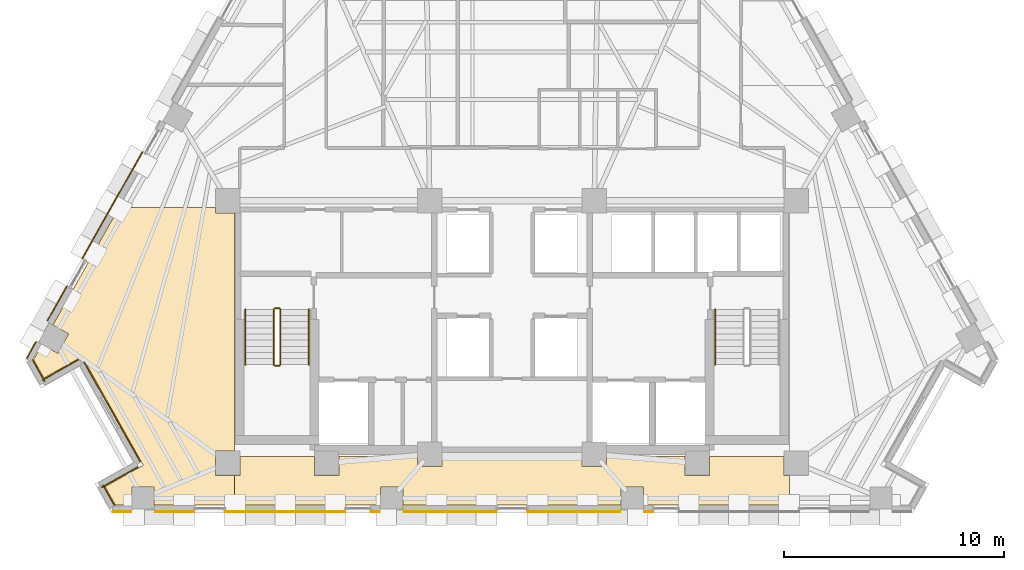
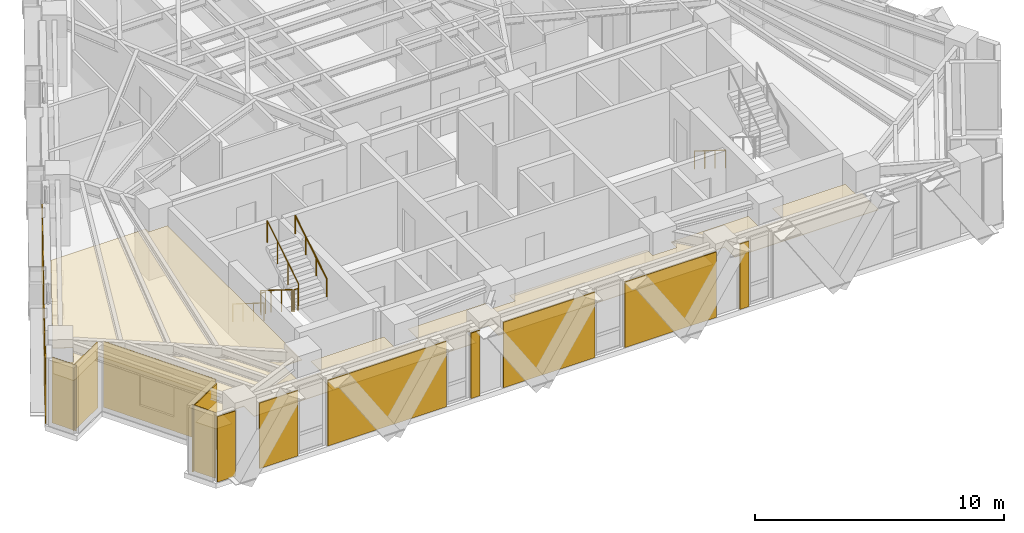
# One storey, part 10 of 13: 17 coverings, 7 railings.
"""IFC4 building model written with IfcOpenShell, lengths in metres."""

from ifc_helpers import new_model, si_unit, direction, frame, origin, origin_2d, place, context, subcontext, project, spatial, polyline, circle, outline, extrude, material, layer, layer_set, type_object, element, save


model = new_model("IFC4")

# Units and contexts
model_context = context("Model", 3, precision=1e-05, world=origin(), true_north=direction((0.0, 1.0)))
body_context = subcontext(model_context, "Body", "Model", "MODEL_VIEW")
ifc_project = project(units=[si_unit("LENGTHUNIT", "METRE"), si_unit("AREAUNIT", "SQUARE_METRE"), si_unit("VOLUMEUNIT", "CUBIC_METRE"), si_unit("PLANEANGLEUNIT", "RADIAN"), si_unit("MASSUNIT", "GRAM", prefix="KILO")], contexts=[model_context])

# Site, building, storey
site_placement = place(None, origin())
site = spatial("IfcSite", under=ifc_project, at=site_placement, CompositionType="ELEMENT")
building_placement = place(site_placement, origin())
building = spatial("IfcBuilding", under=site, at=building_placement, Name="Quenlor Broadcast Tower", CompositionType="ELEMENT")
storey_placement = place(building_placement, frame((0.0, 0.0, 172.0)))
storey = spatial("IfcBuildingStorey", under=building, at=storey_placement, Name="L47", CompositionType="ELEMENT", Elevation=172.0)

# Coverings
ifc_material_1 = material(Name="Acoustic Mineral Fibre Board", Category="other")
ifc_layer_1 = layer(ifc_material_1, 0.02490234375)
ifc_layer_set_1 = layer_set([ifc_layer_1], Name="Acoustic Perforated Mineral Tile Ceiling 25")
covering_type_1 = type_object("IfcCoveringType", Name="Acoustic Perforated Mineral Tile Ceiling 25", PredefinedType="CEILING", material=ifc_layer_set_1)
covering_1_placement = place(storey_placement, frame((0.0, 0.0, 2.375)))
element("IfcCovering", 1, at=covering_1_placement, inside=storey, type_object=covering_type_1, Name="L47 Acoustic Ceiling L47-35-3", PredefinedType="CEILING", context=body_context, shape_type="SweptSolid", body=[
    extrude(outline(polyline([(-21.794921875, -12.0400390625), (-21.406982421875, -11.350341796875), (-20.694091796875, -11.751220703125), (-20.19580078125, -10.86572265625), (-20.90869140625, -10.46484375), (-17.90234375, -5.1201171875), (-13.508056640625, -5.1201171875), (-13.508056640625, -5.35791015625), (-12.64990234375, -5.35791015625), (-12.64990234375, -16.19189453125), (-13.508056640625, -16.19189453125), (-13.508056640625, -17.30810546875), (-12.64990234375, -17.30810546875), (-12.64990234375, -18.659912109375), (-16.30029296875, -18.659912109375), (-16.30029296875, -17.842041015625), (-17.31640625, -17.842041015625), (-17.31640625, -18.659912109375), (-18.071044921875, -18.659912109375), (-18.538818359375, -17.82861328125), (-16.795654296875, -16.847900390625), (-19.580322265625, -11.8974609375), (-21.323486328125, -12.878173828125), (-21.794921875, -12.0400390625)])), origin(), (0.0, 0.0, 1.0), 0.02490234375),
])
covering_2_placement = place(storey_placement, frame((0.0, 0.0, 2.375)))
element("IfcCovering", 2, at=covering_2_placement, inside=storey, type_object=covering_type_1, Name="L47 Acoustic Ceiling L47-35-5", PredefinedType="CEILING", context=body_context, shape_type="SweptSolid", body=[
    extrude(outline(polyline([(-12.39208984375, -17.30810546875), (-12.39208984375, -16.449951171875), (-9.008056640625, -16.449951171875), (-9.008056640625, -17.30810546875), (-7.89208984375, -17.30810546875), (-7.89208984375, -16.449951171875), (-4.30810546875, -16.449951171875), (-4.30810546875, -16.907958984375), (-3.19189453125, -16.907958984375), (-3.19189453125, -16.449951171875), (3.19189453125, -16.449951171875), (3.19189453125, -16.907958984375), (4.30810546875, -16.907958984375), (4.30810546875, -16.449951171875), (7.89208984375, -16.449951171875), (7.89208984375, -17.30810546875), (9.008056640625, -17.30810546875), (9.008056640625, -16.449951171875), (12.39208984375, -16.449951171875), (12.39208984375, -17.30810546875), (12.64990234375, -17.30810546875), (12.64990234375, -18.659912109375), (5.989013671875, -18.659912109375), (5.989013671875, -17.842041015625), (4.972900390625, -17.842041015625), (4.972900390625, -18.659912109375), (-4.972900390625, -18.659912109375), (-4.972900390625, -17.842041015625), (-5.989013671875, -17.842041015625), (-5.989013671875, -18.659912109375), (-12.64990234375, -18.659912109375), (-12.64990234375, -17.30810546875), (-12.39208984375, -17.30810546875)])), origin(), (0.0, 0.0, 1.0), 0.02490234375),
])
ifc_material_2 = material(Name="Architectural Terracotta Ceramic", Category="masonry")
ifc_layer_2 = layer(ifc_material_2, 0.044921875)
ifc_layer_set_2 = layer_set([ifc_layer_2], Name="Fluted Terracotta Rainscreen Cladding Panel")
covering_type_2 = type_object("IfcCoveringType", Name="Fluted Terracotta Rainscreen Cladding Panel", PredefinedType="CLADDING", material=ifc_layer_set_2)
covering_3_placement = place(storey_placement, frame((0.0, 0.0, 0.02001953125)))
element("IfcCovering", 3, at=covering_3_placement, inside=storey, type_object=covering_type_2, Name="L47 Terracotta Rainscreen Cladding L47-SHD-SS1", PredefinedType="CLADDING", context=body_context, shape_type="SweptSolid", body=[
    extrude(outline(polyline([(-17.343505859375, -18.93701171875), (-18.179931640625, -18.93701171875), (-18.179931640625, -18.98193359375), (-17.343505859375, -18.98193359375), (-17.343505859375, -18.93701171875)])), origin(), (0.0, 0.0, 1.0), 3.2099609375),
])
covering_4_placement = place(storey_placement, frame((0.0, 0.0, 0.02001953125)))
element("IfcCovering", 4, at=covering_4_placement, inside=storey, type_object=covering_type_2, Name="L47 Terracotta Rainscreen Cladding L47-SA-SP3", PredefinedType="CLADDING", context=body_context, shape_type="SweptSolid", body=[
    extrude(outline(polyline([(6.43603515625, -18.95703125), (6.035888671875, -18.95703125), (6.035888671875, -19.001953125), (6.43603515625, -19.001953125), (6.43603515625, -18.95703125)])), origin(), (0.0, 0.0, 1.0), 3.2099609375),
])
covering_5_placement = place(storey_placement, frame((0.0, 0.0, 0.02001953125)))
element("IfcCovering", 5, at=covering_5_placement, inside=storey, type_object=covering_type_2, Name="L47 Terracotta Rainscreen Cladding L47-SC-SP1", PredefinedType="CLADDING", context=body_context, shape_type="SweptSolid", body=[
    extrude(outline(polyline([(-6.035888671875, -18.95703125), (-6.43603515625, -18.95703125), (-6.43603515625, -19.001953125), (-6.035888671875, -19.001953125), (-6.035888671875, -18.95703125)])), origin(), (0.0, 0.0, 1.0), 3.2099609375),
])
covering_6_placement = place(storey_placement, frame((0.0, 0.0, 0.02001953125)))
element("IfcCovering", 6, at=covering_6_placement, inside=storey, type_object=covering_type_2, Name="L47 Terracotta Rainscreen Cladding L47-SC-SP2", PredefinedType="CLADDING", context=body_context, shape_type="SweptSolid", body=[
    extrude(outline(polyline([(-7.5869140625, -18.95703125), (-13.076904296875, -18.95703125), (-13.076904296875, -19.001953125), (-7.5869140625, -19.001953125), (-7.5869140625, -18.95703125)])), origin(), (0.0, 0.0, 1.0), 3.2099609375),
])
covering_7_placement = place(storey_placement, frame((0.0, 0.0, 0.02001953125)))
element("IfcCovering", 7, at=covering_7_placement, inside=storey, type_object=covering_type_2, Name="L47 Terracotta Rainscreen Cladding L47-SC-SP3", PredefinedType="CLADDING", context=body_context, shape_type="SweptSolid", body=[
    extrude(outline(polyline([(-14.47509765625, -18.95703125), (-16.25341796875, -18.95703125), (-16.25341796875, -19.001953125), (-14.47509765625, -19.001953125), (-14.47509765625, -18.95703125)])), origin(), (0.0, 0.0, 1.0), 3.2099609375),
])
covering_8_placement = place(storey_placement, frame((0.0, 0.0, 0.02001953125)))
element("IfcCovering", 8, at=covering_8_placement, inside=storey, type_object=covering_type_2, Name="L47 Terracotta Rainscreen Cladding L47-S-SP1", PredefinedType="CLADDING", context=body_context, shape_type="SweptSolid", body=[
    extrude(outline(polyline([(4.930908203125, -18.95703125), (0.698974609375, -18.95703125), (0.698974609375, -19.001953125), (4.930908203125, -19.001953125), (4.930908203125, -18.95703125)])), origin(), (0.0, 0.0, 1.0), 3.2099609375),
])
covering_9_placement = place(storey_placement, frame((0.0, 0.0, 0.02001953125)))
element("IfcCovering", 9, at=covering_9_placement, inside=storey, type_object=covering_type_2, Name="L47 Terracotta Rainscreen Cladding L47-S-SP2", PredefinedType="CLADDING", context=body_context, shape_type="SweptSolid", body=[
    extrude(outline(polyline([(-0.698974609375, -18.95703125), (-4.930908203125, -18.95703125), (-4.930908203125, -19.001953125), (-0.698974609375, -19.001953125), (-0.698974609375, -18.95703125)])), origin(), (0.0, 0.0, 1.0), 3.2099609375),
])
covering_10_placement = place(storey_placement, frame((0.0, 0.0, 0.02001953125)))
element("IfcCovering", 10, at=covering_10_placement, inside=storey, type_object=covering_type_2, Name="L47 Terracotta Rainscreen Cladding L47-SHD-NWS0", PredefinedType="CLADDING", context=body_context, shape_type="SweptSolid", body=[
    extrude(outline(polyline([(-22.0859375, -11.992431640625), (-21.66162109375, -11.23779296875), (-21.70068359375, -11.2158203125), (-22.125244140625, -11.970458984375), (-22.0859375, -11.992431640625)])), origin(), (0.0, 0.0, 1.0), 3.2099609375),
])
covering_11_placement = place(storey_placement, frame((0.0, 0.0, 0.02001953125)))
element("IfcCovering", 11, at=covering_11_placement, inside=storey, type_object=covering_type_2, Name="L47 Terracotta Rainscreen Cladding L47-NWA-SP1", PredefinedType="CLADDING", context=body_context, shape_type="SweptSolid", body=[
    extrude(outline(polyline([(-21.14453125, -10.278076171875), (-20.26416015625, -8.712646484375), (-20.30322265625, -8.690673828125), (-21.183837890625, -10.256103515625), (-21.14453125, -10.278076171875)])), origin(), (0.0, 0.0, 1.0), 3.2099609375),
])
covering_12_placement = place(storey_placement, frame((0.0, 0.0, 0.02001953125)))
element("IfcCovering", 12, at=covering_12_placement, inside=storey, type_object=covering_type_2, Name="L47 Terracotta Rainscreen Cladding L47-NWA-SP2", PredefinedType="CLADDING", context=body_context, shape_type="SweptSolid", body=[
    extrude(outline(polyline([(-19.55322265625, -7.44921875), (-16.81591796875, -2.582763671875), (-16.855224609375, -2.560791015625), (-19.592529296875, -7.42724609375), (-19.55322265625, -7.44921875)])), origin(), (0.0, 0.0, 1.0), 3.2099609375),
])
covering_13_placement = place(storey_placement, frame((0.0, 0.0, 0.02001953125)))
element("IfcCovering", 13, at=covering_13_placement, inside=storey, type_object=covering_type_2, Name="L47 Terracotta Rainscreen Cladding L47-CNR-12", PredefinedType="CLADDING", context=body_context, shape_type="SweptSolid", body=[
    extrude(outline(polyline([(-21.864501953125, -12.0546875), (-21.309326171875, -13.0419921875), (-21.27001953125, -13.02001953125), (-21.825439453125, -12.03271484375), (-21.864501953125, -12.0546875)])), origin(), (0.0, 0.0, 1.0), 3.2099609375),
])
covering_14_placement = place(storey_placement, frame((0.0, 0.0, 0.02001953125)))
element("IfcCovering", 14, at=covering_14_placement, inside=storey, type_object=covering_type_2, Name="L47 Terracotta Rainscreen Cladding L47-CNR-13", PredefinedType="CLADDING", context=body_context, shape_type="SweptSolid", body=[
    extrude(outline(polyline([(-21.385986328125, -12.9912109375), (-19.72998046875, -12.059814453125), (-19.752197265625, -12.0205078125), (-21.408203125, -12.9521484375), (-21.385986328125, -12.9912109375)])), origin(), (0.0, 0.0, 1.0), 3.2099609375),
])
covering_15_placement = place(storey_placement, frame((0.0, 0.0, 0.02001953125)))
element("IfcCovering", 15, at=covering_15_placement, inside=storey, type_object=covering_type_2, Name="L47 Terracotta Rainscreen Cladding L47-CNR-14", PredefinedType="CLADDING", context=body_context, shape_type="SweptSolid", body=[
    extrude(outline(polyline([(-19.51708984375, -12.148681640625), (-16.9580078125, -16.6982421875), (-16.918701171875, -16.67626953125), (-19.477783203125, -12.126708984375), (-19.51708984375, -12.148681640625)])), origin(), (0.0, 0.0, 1.0), 3.2099609375),
])
covering_16_placement = place(storey_placement, frame((0.0, 0.0, 0.02001953125)))
element("IfcCovering", 16, at=covering_16_placement, inside=storey, type_object=covering_type_2, Name="L47 Terracotta Rainscreen Cladding L47-CNR-15", PredefinedType="CLADDING", context=body_context, shape_type="SweptSolid", body=[
    extrude(outline(polyline([(-17.046875, -16.911376953125), (-18.702880859375, -17.8427734375), (-18.680908203125, -17.882080078125), (-17.02490234375, -16.950439453125), (-17.046875, -16.911376953125)])), origin(), (0.0, 0.0, 1.0), 3.2099609375),
])
covering_17_placement = place(storey_placement, frame((0.0, 0.0, 0.02001953125)))
element("IfcCovering", 17, at=covering_17_placement, inside=storey, type_object=covering_type_2, Name="L47 Terracotta Rainscreen Cladding L47-CNR-16", PredefinedType="CLADDING", context=body_context, shape_type="SweptSolid", body=[
    extrude(outline(polyline([(-18.652099609375, -17.76611328125), (-18.127685546875, -18.697998046875), (-18.088623046875, -18.67578125), (-18.61279296875, -17.743896484375), (-18.652099609375, -17.76611328125)])), origin(), (0.0, 0.0, 1.0), 3.2099609375),
])

# Railings
ifc_material_3 = material(Name="Anodised Aluminium", Category="aluminium")
railing_type_1 = type_object("IfcRailingType", Name="Stainless Aluminium Wall Handrail 900", PredefinedType="HANDRAIL", material=ifc_material_3)
railing_1_placement = place(storey_placement, frame((-12.14990234375, -9.75, 0.175048828125)))
element("IfcRailing", 18, at=railing_1_placement, inside=storey, type_object=railing_type_1, Name="L47 ST-1 stair handrail 1", PredefinedType="HANDRAIL", context=body_context, shape_type="SweptSolid", body=[
    extrude(circle(Radius=0.02392578125, at=origin_2d()), frame((0.0, 0.0, 0.8759765625), z_axis=(0.0, -0.848007534815, 0.529984170421), x_axis=(1.0, 0.0, 0.0)), (0.0, 0.0, 1.0), 2.9716796875),
    extrude(circle(Radius=0.02099609375, at=origin_2d()), origin(), (0.0, 0.0, 1.0), 0.851806640625),
    extrude(circle(Radius=0.02099609375, at=origin_2d()), frame((0.0, -0.840087890625, 0.52490234375)), (0.0, 0.0, 1.0), 0.851806640625),
    extrude(circle(Radius=0.02099609375, at=origin_2d()), frame((0.0, -1.679931640625, 1.050048828125)), (0.0, 0.0, 1.0), 0.851806640625),
    extrude(circle(Radius=0.02099609375, at=origin_2d()), frame((0.0, -2.52001953125, 1.574951171875)), (0.0, 0.0, 1.0), 0.851806640625),
])
railing_2_placement = place(storey_placement, frame((-9.25, -12.27001953125, 1.925048828125)))
element("IfcRailing", 19, at=railing_2_placement, inside=storey, type_object=railing_type_1, Name="L47 ST-1 stair handrail 2", PredefinedType="HANDRAIL", context=body_context, shape_type="SweptSolid", body=[
    extrude(circle(Radius=0.02392578125, at=origin_2d()), frame((0.0, 0.0, 0.8759765625), z_axis=(0.0, 0.848007534815, 0.529984170421), x_axis=(-1.0, 0.0, 0.0)), (0.0, 0.0, 1.0), 2.9716796875),
    extrude(circle(Radius=0.02099609375, at=origin_2d()), origin(), (0.0, 0.0, 1.0), 0.851806640625),
    extrude(circle(Radius=0.02099609375, at=origin_2d()), frame((0.0, 0.840087890625, 0.52490234375)), (0.0, 0.0, 1.0), 0.851806640625),
    extrude(circle(Radius=0.02099609375, at=origin_2d()), frame((0.0, 1.679931640625, 1.050048828125)), (0.0, 0.0, 1.0), 0.851806640625),
    extrude(circle(Radius=0.02099609375, at=origin_2d()), frame((0.0, 2.52001953125, 1.574951171875)), (0.0, 0.0, 1.0), 0.851806640625),
])
railing_3_placement = place(storey_placement, frame((9.25, -9.75, 0.175048828125)))
element("IfcRailing", 20, at=railing_3_placement, inside=storey, type_object=railing_type_1, Name="L47 ST-2 stair handrail 1", PredefinedType="HANDRAIL", context=body_context, shape_type="SweptSolid", body=[
    extrude(circle(Radius=0.02392578125, at=origin_2d()), frame((0.0, 0.0, 0.8759765625), z_axis=(0.0, -0.848007534815, 0.529984170421), x_axis=(1.0, 0.0, 0.0)), (0.0, 0.0, 1.0), 2.9716796875),
    extrude(circle(Radius=0.02099609375, at=origin_2d()), origin(), (0.0, 0.0, 1.0), 0.851806640625),
    extrude(circle(Radius=0.02099609375, at=origin_2d()), frame((0.0, -0.840087890625, 0.52490234375)), (0.0, 0.0, 1.0), 0.851806640625),
    extrude(circle(Radius=0.02099609375, at=origin_2d()), frame((0.0, -1.679931640625, 1.050048828125)), (0.0, 0.0, 1.0), 0.851806640625),
    extrude(circle(Radius=0.02099609375, at=origin_2d()), frame((0.0, -2.52001953125, 1.574951171875)), (0.0, 0.0, 1.0), 0.851806640625),
])
ifc_material_4 = material(Name="Steel S355", Category="steel")
railing_type_2 = type_object("IfcRailingType", Name="Tubular Steel S355 Stair Guardrail 1100", PredefinedType="BALUSTRADE", material=ifc_material_4)
railing_4_placement = place(storey_placement, frame((-10.85009765625, -9.75, 0.175048828125)))
element("IfcRailing", 21, at=railing_4_placement, inside=storey, type_object=railing_type_2, Name="L47 ST-1 stair guard 1", PredefinedType="BALUSTRADE", context=body_context, shape_type="SweptSolid", body=[
    extrude(circle(Radius=0.02392578125, at=origin_2d()), frame((0.0, 0.0, 1.076171875), z_axis=(0.0, -0.848007534815, 0.529984170421), x_axis=(1.0, 0.0, 0.0)), (0.0, 0.0, 1.0), 2.9716796875),
    extrude(circle(Radius=0.02099609375, at=origin_2d()), origin(), (0.0, 0.0, 1.0), 1.052001953125),
    extrude(circle(Radius=0.02099609375, at=origin_2d()), frame((0.0, -0.840087890625, 0.52490234375)), (0.0, 0.0, 1.0), 1.052001953125),
    extrude(circle(Radius=0.02099609375, at=origin_2d()), frame((0.0, -1.679931640625, 1.050048828125)), (0.0, 0.0, 1.0), 1.052001953125),
    extrude(circle(Radius=0.02099609375, at=origin_2d()), frame((0.0, -2.52001953125, 1.574951171875)), (0.0, 0.0, 1.0), 1.052001953125),
])
railing_5_placement = place(storey_placement, frame((-10.800048828125, -12.320068359375, 1.75)))
element("IfcRailing", 22, at=railing_5_placement, inside=storey, type_object=railing_type_2, Name="L47 ST-1 stair guard 2", PredefinedType="BALUSTRADE", context=body_context, shape_type="SweptSolid", body=[
    extrude(circle(Radius=0.02392578125, at=origin_2d()), frame((0.0, 0.0, 1.076171875), z_axis=(1.0, 0.0, 0.0), x_axis=(0.0, 1.0, 0.0)), (0.0, 0.0, 1.0), 0.199951171875),
    extrude(circle(Radius=0.02099609375, at=origin_2d()), origin(), (0.0, 0.0, 1.0), 1.052001953125),
    extrude(circle(Radius=0.02099609375, at=origin_2d()), frame((0.199951171875, 0.0, 0.0)), (0.0, 0.0, 1.0), 1.052001953125),
])
railing_6_placement = place(storey_placement, frame((-10.550048828125, -12.27001953125, 1.925048828125)))
element("IfcRailing", 23, at=railing_6_placement, inside=storey, type_object=railing_type_2, Name="L47 ST-1 stair guard 3", PredefinedType="BALUSTRADE", context=body_context, shape_type="SweptSolid", body=[
    extrude(circle(Radius=0.02392578125, at=origin_2d()), frame((0.0, 0.0, 1.076171875), z_axis=(0.0, 0.848007534815, 0.529984170421), x_axis=(-1.0, 0.0, 0.0)), (0.0, 0.0, 1.0), 2.9716796875),
    extrude(circle(Radius=0.02099609375, at=origin_2d()), origin(), (0.0, 0.0, 1.0), 1.052001953125),
    extrude(circle(Radius=0.02099609375, at=origin_2d()), frame((0.0, 0.840087890625, 0.52490234375)), (0.0, 0.0, 1.0), 1.052001953125),
    extrude(circle(Radius=0.02099609375, at=origin_2d()), frame((0.0, 1.679931640625, 1.050048828125)), (0.0, 0.0, 1.0), 1.052001953125),
    extrude(circle(Radius=0.02099609375, at=origin_2d()), frame((0.0, 2.52001953125, 1.574951171875)), (0.0, 0.0, 1.0), 1.052001953125),
])
railing_7_placement = place(storey_placement, frame((-10.800048828125, -9.699951171875, 0.0)))
element("IfcRailing", 24, at=railing_7_placement, inside=storey, type_object=railing_type_2, Name="L47 ST-1 stair guard 4", PredefinedType="BALUSTRADE", context=body_context, shape_type="SweptSolid", body=[
    extrude(circle(Radius=0.02392578125, at=origin_2d()), frame((0.0, 0.0, 1.076171875), z_axis=(1.0, 0.0, 0.0), x_axis=(0.0, 1.0, 0.0)), (0.0, 0.0, 1.0), 0.199951171875),
    extrude(circle(Radius=0.02099609375, at=origin_2d()), origin(), (0.0, 0.0, 1.0), 1.052001953125),
    extrude(circle(Radius=0.02099609375, at=origin_2d()), frame((0.199951171875, 0.0, 0.0)), (0.0, 0.0, 1.0), 1.052001953125),
])

save(model, "model.ifc")
